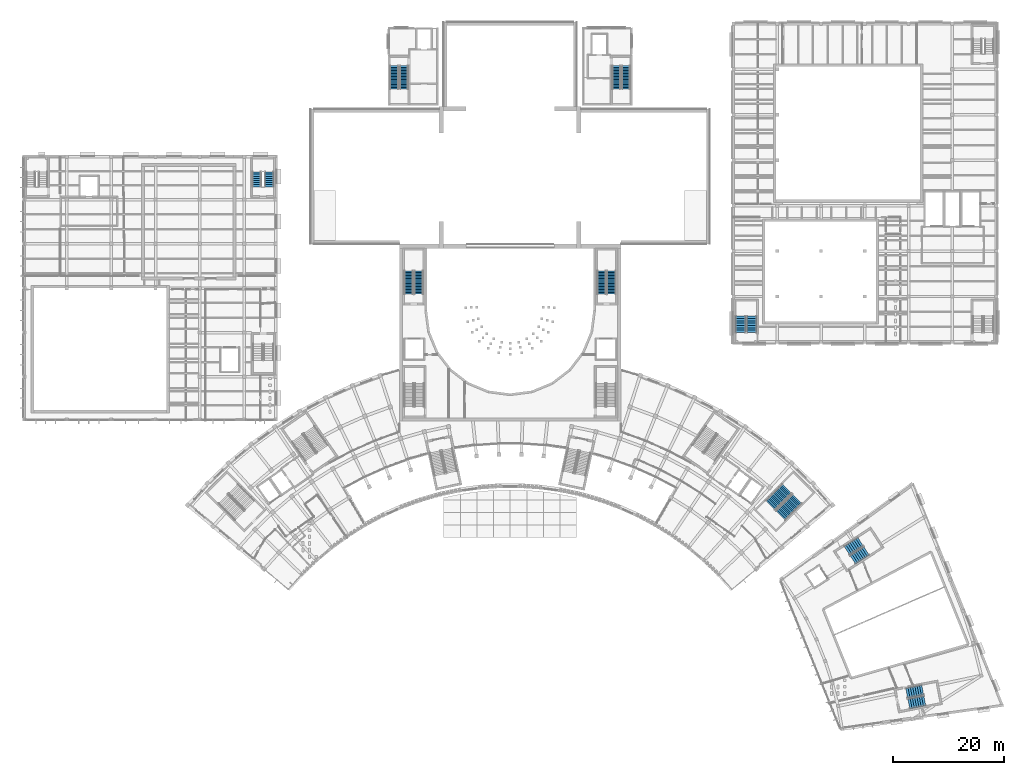
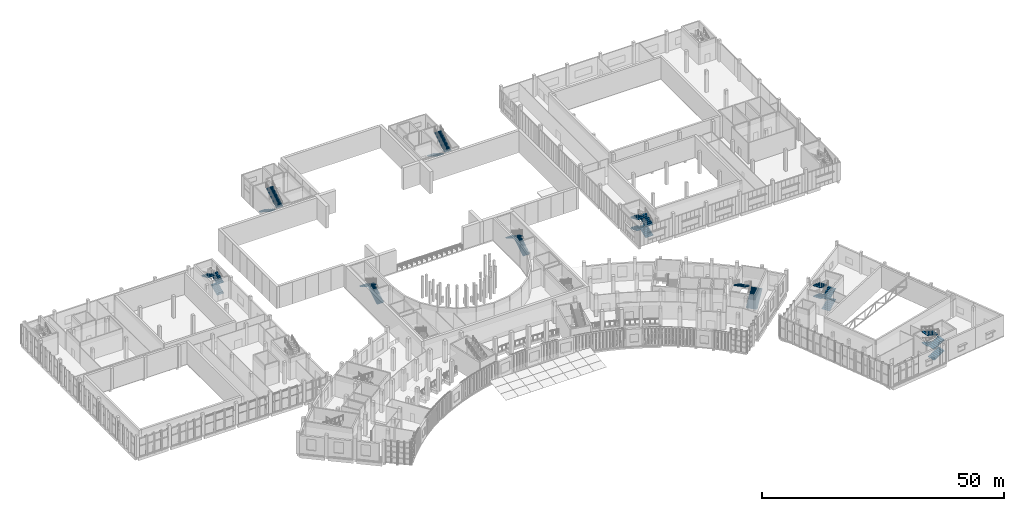
# One storey, part 67 of 112: 25 stair flights, 9 elements without a shape of their own.
"""IFC4 building model written with IfcOpenShell, lengths in metres."""

from ifc_helpers import new_model, si_unit, direction, frame, origin, place, context, subcontext, project, spatial, polyline, outline, extrude, material, type_object, element, aggregate, save


model = new_model("IFC4")

# Units and contexts
model_context = context("Model", 3, precision=1e-05, world=origin(), true_north=direction((0.0, 1.0)))
body_context = subcontext(model_context, "Body", "Model", "MODEL_VIEW")
ifc_project = project(units=[si_unit("LENGTHUNIT", "METRE"), si_unit("AREAUNIT", "SQUARE_METRE"), si_unit("VOLUMEUNIT", "CUBIC_METRE"), si_unit("PLANEANGLEUNIT", "RADIAN"), si_unit("MASSUNIT", "GRAM", prefix="KILO")], contexts=[model_context])

# Site, building, storey
site_placement = place(None, origin())
site = spatial("IfcSite", under=ifc_project, at=site_placement, CompositionType="ELEMENT")
building_placement = place(site_placement, origin())
building = spatial("IfcBuilding", under=site, at=building_placement, Name="Lunette Opera House", CompositionType="ELEMENT")
storey_placement = place(building_placement, frame((0.0, 0.0, 6.0)))
storey = spatial("IfcBuildingStorey", under=building, at=storey_placement, Name="L01", CompositionType="ELEMENT", Elevation=6.0)

# Stair, stair flights
ifc_material_1 = material(Name="Concrete C35/45", Category="concrete")
stair_type_1 = type_object("IfcStairType", Name="DOGLEG STAIR 1550", PredefinedType="HALF_TURN_STAIR", material=ifc_material_1)
stair_1_placement = place(storey_placement, origin())
stair_1 = element("IfcStair", 1, at=stair_1_placement, inside=storey, type_object=stair_type_1, Name="L01 stair ST11", PredefinedType="HALF_TURN_STAIR")
ifc_material_2 = material(Name="Concrete C35/45", Category="concrete")
stair_flight_type_1 = type_object("IfcStairFlightType", Name="STRAIGHT STAIR FLIGHT 1550", PredefinedType="STRAIGHT", material=ifc_material_2)
stair_flight_1_placement = place(storey_placement, frame((75.074951171875, 128.14990234375, 0.0), z_axis=(0.0, 0.0, 1.0), x_axis=(0.0, -1.0, 0.0)))
stair_flight_1 = element("IfcStairFlight", 2, at=stair_flight_1_placement, type_object=stair_flight_type_1, Name="ST11 flight 1", NumberOfRisers=16, NumberOfTreads=15, PredefinedType="STRAIGHT", RiserHeight=0.171875, TreadLength=0.28, context=body_context, shape_type="SweptSolid", body=[
    extrude(outline(polyline([(0.0, 0.0), (0.0, 0.171875), (0.280029296875, 0.171875), (0.280029296875, 0.34375), (0.56005859375, 0.34375), (0.56005859375, 0.515625), (0.840087890625, 0.515625), (0.840087890625, 0.6875), (1.1201171875, 0.6875), (1.1201171875, 0.859375), (1.39990234375, 0.859375), (1.39990234375, 1.03125), (1.679931640625, 1.03125), (1.679931640625, 1.203125), (1.9599609375, 1.203125), (1.9599609375, 1.375), (2.239990234375, 1.375), (2.239990234375, 1.546875), (2.52001953125, 1.546875), (2.52001953125, 1.71875), (2.800048828125, 1.71875), (2.800048828125, 1.890625), (3.080078125, 1.890625), (3.080078125, 2.0625), (3.360107421875, 2.0625), (3.360107421875, 2.234375), (3.639892578125, 2.234375), (3.639892578125, 2.40625), (3.919921875, 2.40625), (3.919921875, 2.578125), (4.199951171875, 2.578125), (4.199951171875, 2.75), (4.199951171875, 2.40234375), (0.28662109375, 0.0), (0.0, 0.0)])), frame((0.0, 0.77490234375, 0.0), z_axis=(0.0, -1.0, 0.0), x_axis=(1.0, 0.0, 0.0)), (0.0, 0.0, 1.0), 1.550048828125),
])
stair_flight_2_placement = place(storey_placement, frame((76.824951171875, 123.949951171875, 2.75), z_axis=(0.0, 0.0, 1.0), x_axis=(0.0, 1.0, 0.0)))
stair_flight_2 = element("IfcStairFlight", 3, at=stair_flight_2_placement, type_object=stair_flight_type_1, Name="ST11 flight 2", NumberOfRisers=16, NumberOfTreads=15, PredefinedType="STRAIGHT", RiserHeight=0.171875, TreadLength=0.28, context=body_context, shape_type="SweptSolid", body=[
    extrude(outline(polyline([(0.0, 0.0), (0.0, 0.171875), (0.280029296875, 0.171875), (0.280029296875, 0.34375), (0.56005859375, 0.34375), (0.56005859375, 0.515625), (0.840087890625, 0.515625), (0.840087890625, 0.6875), (1.1201171875, 0.6875), (1.1201171875, 0.859375), (1.39990234375, 0.859375), (1.39990234375, 1.03125), (1.679931640625, 1.03125), (1.679931640625, 1.203125), (1.9599609375, 1.203125), (1.9599609375, 1.375), (2.239990234375, 1.375), (2.239990234375, 1.546875), (2.52001953125, 1.546875), (2.52001953125, 1.71875), (2.800048828125, 1.71875), (2.800048828125, 1.890625), (3.080078125, 1.890625), (3.080078125, 2.0625), (3.360107421875, 2.0625), (3.360107421875, 2.234375), (3.639892578125, 2.234375), (3.639892578125, 2.40625), (3.919921875, 2.40625), (3.919921875, 2.578125), (4.199951171875, 2.578125), (4.199951171875, 2.75), (4.199951171875, 2.40234375), (0.28662109375, 0.0), (0.0, 0.0)])), frame((0.0, 0.77490234375, 0.0), z_axis=(0.0, -1.0, 0.0), x_axis=(1.0, 0.0, 0.0)), (0.0, 0.0, 1.0), 1.550048828125),
])
aggregate(stair_1, [stair_flight_1, stair_flight_2])

stair_2_placement = place(storey_placement, origin())
stair_2 = element("IfcStair", 4, at=stair_2_placement, inside=storey, type_object=stair_type_1, Name="L01 stair ST12", PredefinedType="HALF_TURN_STAIR")
stair_flight_3_placement = place(storey_placement, frame((115.175048828125, 128.14990234375, 0.0), z_axis=(0.0, 0.0, 1.0), x_axis=(0.0, -1.0, 0.0)))
stair_flight_3 = element("IfcStairFlight", 5, at=stair_flight_3_placement, type_object=stair_flight_type_1, Name="ST12 flight 1", NumberOfRisers=16, NumberOfTreads=15, PredefinedType="STRAIGHT", RiserHeight=0.171875, TreadLength=0.28, context=body_context, shape_type="SweptSolid", body=[
    extrude(outline(polyline([(0.0, 0.0), (0.0, 0.171875), (0.280029296875, 0.171875), (0.280029296875, 0.34375), (0.56005859375, 0.34375), (0.56005859375, 0.515625), (0.840087890625, 0.515625), (0.840087890625, 0.6875), (1.1201171875, 0.6875), (1.1201171875, 0.859375), (1.39990234375, 0.859375), (1.39990234375, 1.03125), (1.679931640625, 1.03125), (1.679931640625, 1.203125), (1.9599609375, 1.203125), (1.9599609375, 1.375), (2.239990234375, 1.375), (2.239990234375, 1.546875), (2.52001953125, 1.546875), (2.52001953125, 1.71875), (2.800048828125, 1.71875), (2.800048828125, 1.890625), (3.080078125, 1.890625), (3.080078125, 2.0625), (3.360107421875, 2.0625), (3.360107421875, 2.234375), (3.639892578125, 2.234375), (3.639892578125, 2.40625), (3.919921875, 2.40625), (3.919921875, 2.578125), (4.199951171875, 2.578125), (4.199951171875, 2.75), (4.199951171875, 2.40234375), (0.28662109375, 0.0), (0.0, 0.0)])), frame((0.0, 0.77490234375, 0.0), z_axis=(0.0, -1.0, 0.0), x_axis=(1.0, 0.0, 0.0)), (0.0, 0.0, 1.0), 1.550048828125),
])
stair_flight_4_placement = place(storey_placement, frame((116.925048828125, 123.949951171875, 2.75), z_axis=(0.0, 0.0, 1.0), x_axis=(0.0, 1.0, 0.0)))
stair_flight_4 = element("IfcStairFlight", 6, at=stair_flight_4_placement, type_object=stair_flight_type_1, Name="ST12 flight 2", NumberOfRisers=16, NumberOfTreads=15, PredefinedType="STRAIGHT", RiserHeight=0.171875, TreadLength=0.28, context=body_context, shape_type="SweptSolid", body=[
    extrude(outline(polyline([(0.0, 0.0), (0.0, 0.171875), (0.280029296875, 0.171875), (0.280029296875, 0.34375), (0.56005859375, 0.34375), (0.56005859375, 0.515625), (0.840087890625, 0.515625), (0.840087890625, 0.6875), (1.1201171875, 0.6875), (1.1201171875, 0.859375), (1.39990234375, 0.859375), (1.39990234375, 1.03125), (1.679931640625, 1.03125), (1.679931640625, 1.203125), (1.9599609375, 1.203125), (1.9599609375, 1.375), (2.239990234375, 1.375), (2.239990234375, 1.546875), (2.52001953125, 1.546875), (2.52001953125, 1.71875), (2.800048828125, 1.71875), (2.800048828125, 1.890625), (3.080078125, 1.890625), (3.080078125, 2.0625), (3.360107421875, 2.0625), (3.360107421875, 2.234375), (3.639892578125, 2.234375), (3.639892578125, 2.40625), (3.919921875, 2.40625), (3.919921875, 2.578125), (4.199951171875, 2.578125), (4.199951171875, 2.75), (4.199951171875, 2.40234375), (0.28662109375, 0.0), (0.0, 0.0)])), frame((0.0, 0.77490234375, 0.0), z_axis=(0.0, -1.0, 0.0), x_axis=(1.0, 0.0, 0.0)), (0.0, 0.0, 1.0), 1.550048828125),
])
aggregate(stair_2, [stair_flight_3, stair_flight_4])

ifc_material_3 = material(Name="Concrete C35/45", Category="concrete")
stair_type_2 = type_object("IfcStairType", Name="DOGLEG STAIR 1600", PredefinedType="HALF_TURN_STAIR", material=ifc_material_3)
stair_3_placement = place(storey_placement, origin())
stair_3 = element("IfcStair", 7, at=stair_3_placement, inside=storey, type_object=stair_type_2, Name="L01 stair ST17", PredefinedType="HALF_TURN_STAIR")
ifc_material_4 = material(Name="Concrete C35/45", Category="concrete")
stair_flight_type_2 = type_object("IfcStairFlightType", Name="STRAIGHT STAIR FLIGHT 1600", PredefinedType="STRAIGHT", material=ifc_material_4)
stair_flight_5_placement = place(storey_placement, frame((52.534912109375, 106.300048828125, 0.0), z_axis=(0.0, 0.0, 1.0), x_axis=(0.0, 1.0, 0.0)))
stair_flight_5 = element("IfcStairFlight", 8, at=stair_flight_5_placement, type_object=stair_flight_type_2, Name="ST17 flight 1", NumberOfRisers=8, NumberOfTreads=7, PredefinedType="STRAIGHT", RiserHeight=0.171875, TreadLength=0.38, context=body_context, shape_type="SweptSolid", body=[
    extrude(outline(polyline([(0.0, 0.0), (0.0, 0.171875), (0.3798828125, 0.171875), (0.3798828125, 0.34375), (0.760009765625, 0.34375), (0.760009765625, 0.515625), (1.139892578125, 0.515625), (1.139892578125, 0.6875), (1.52001953125, 0.6875), (1.52001953125, 0.859375), (1.89990234375, 0.859375), (1.89990234375, 1.03125), (2.280029296875, 1.03125), (2.280029296875, 1.203125), (2.659912109375, 1.203125), (2.659912109375, 1.375), (2.659912109375, 1.03857421875), (0.36376953125, 0.0), (0.0, 0.0)])), frame((0.0, 0.800048828125, 0.0), z_axis=(0.0, -1.0, 0.0), x_axis=(1.0, 0.0, 0.0)), (0.0, 0.0, 1.0), 1.60009765625),
])
stair_flight_6_placement = place(storey_placement, frame((52.534912109375, 106.300048828125, 2.75), z_axis=(0.0, 0.0, 1.0), x_axis=(0.0, 1.0, 0.0)))
stair_flight_6 = element("IfcStairFlight", 9, at=stair_flight_6_placement, type_object=stair_flight_type_2, Name="ST17 flight 3", NumberOfRisers=8, NumberOfTreads=7, PredefinedType="STRAIGHT", RiserHeight=0.171875, TreadLength=0.38, context=body_context, shape_type="SweptSolid", body=[
    extrude(outline(polyline([(0.0, 0.0), (0.0, 0.171875), (0.3798828125, 0.171875), (0.3798828125, 0.34375), (0.760009765625, 0.34375), (0.760009765625, 0.515625), (1.139892578125, 0.515625), (1.139892578125, 0.6875), (1.52001953125, 0.6875), (1.52001953125, 0.859375), (1.89990234375, 0.859375), (1.89990234375, 1.03125), (2.280029296875, 1.03125), (2.280029296875, 1.203125), (2.659912109375, 1.203125), (2.659912109375, 1.375), (2.659912109375, 1.03857421875), (0.36376953125, 0.0), (0.0, 0.0)])), frame((0.0, 0.800048828125, 0.0), z_axis=(0.0, -1.0, 0.0), x_axis=(1.0, 0.0, 0.0)), (0.0, 0.0, 1.0), 1.60009765625),
])
stair_flight_7_placement = place(storey_placement, frame((50.300048828125, 108.9599609375, 4.125), z_axis=(0.0, 0.0, 1.0), x_axis=(0.0, -1.0, 0.0)))
stair_flight_7 = element("IfcStairFlight", 10, at=stair_flight_7_placement, type_object=stair_flight_type_2, Name="ST17 flight 4", NumberOfRisers=8, NumberOfTreads=7, PredefinedType="STRAIGHT", RiserHeight=0.171875, TreadLength=0.38, context=body_context, shape_type="SweptSolid", body=[
    extrude(outline(polyline([(0.0, 0.0), (0.0, 0.171875), (0.3798828125, 0.171875), (0.3798828125, 0.34375), (0.760009765625, 0.34375), (0.760009765625, 0.515625), (1.139892578125, 0.515625), (1.139892578125, 0.6875), (1.52001953125, 0.6875), (1.52001953125, 0.859375), (1.89990234375, 0.859375), (1.89990234375, 1.03125), (2.280029296875, 1.03125), (2.280029296875, 1.203125), (2.659912109375, 1.203125), (2.659912109375, 1.375), (2.659912109375, 1.03857421875), (0.36376953125, 0.0), (0.0, 0.0)])), frame((0.0, 0.800048828125, 0.0), z_axis=(0.0, -1.0, 0.0), x_axis=(1.0, 0.0, 0.0)), (0.0, 0.0, 1.0), 1.60009765625),
])
aggregate(stair_3, [stair_flight_5, stair_flight_6, stair_flight_7])

ifc_material_5 = material(Name="Concrete C35/45", Category="concrete")
stair_type_3 = type_object("IfcStairType", Name="DOGLEG STAIR 1620", PredefinedType="HALF_TURN_STAIR", material=ifc_material_5)
stair_4_placement = place(storey_placement, origin())
stair_4 = element("IfcStair", 11, at=stair_4_placement, inside=storey, type_object=stair_type_3, Name="L01 stair ST10", PredefinedType="HALF_TURN_STAIR")
ifc_material_6 = material(Name="Concrete C35/45", Category="concrete")
stair_flight_type_3 = type_object("IfcStairFlightType", Name="STRAIGHT STAIR FLIGHT 1620", PredefinedType="STRAIGHT", material=ifc_material_6)
stair_flight_8_placement = place(storey_placement, frame((79.489990234375, 86.919921875, 0.0), z_axis=(0.0, 0.0, 1.0), x_axis=(0.0, 1.0, 0.0)))
stair_flight_8 = element("IfcStairFlight", 12, at=stair_flight_8_placement, type_object=stair_flight_type_3, Name="ST10 flight 1", NumberOfRisers=16, NumberOfTreads=15, PredefinedType="STRAIGHT", RiserHeight=0.171875, TreadLength=0.28, context=body_context, shape_type="SweptSolid", body=[
    extrude(outline(polyline([(0.0, 0.0), (0.0, 0.171875), (0.280029296875, 0.171875), (0.280029296875, 0.34375), (0.56005859375, 0.34375), (0.56005859375, 0.515625), (0.840087890625, 0.515625), (0.840087890625, 0.6875), (1.1201171875, 0.6875), (1.1201171875, 0.859375), (1.39990234375, 0.859375), (1.39990234375, 1.03125), (1.679931640625, 1.03125), (1.679931640625, 1.203125), (1.9599609375, 1.203125), (1.9599609375, 1.375), (2.239990234375, 1.375), (2.239990234375, 1.546875), (2.52001953125, 1.546875), (2.52001953125, 1.71875), (2.800048828125, 1.71875), (2.800048828125, 1.890625), (3.080078125, 1.890625), (3.080078125, 2.0625), (3.360107421875, 2.0625), (3.360107421875, 2.234375), (3.639892578125, 2.234375), (3.639892578125, 2.40625), (3.919921875, 2.40625), (3.919921875, 2.578125), (4.199951171875, 2.578125), (4.199951171875, 2.75), (4.199951171875, 2.40234375), (0.28662109375, 0.0), (0.0, 0.0)])), frame((0.0, 0.81005859375, 0.0), z_axis=(0.0, -1.0, 0.0), x_axis=(1.0, 0.0, 0.0)), (0.0, 0.0, 1.0), 1.6201171875),
])
stair_flight_9_placement = place(storey_placement, frame((77.7099609375, 91.1201171875, 2.75), z_axis=(0.0, 0.0, 1.0), x_axis=(0.0, -1.0, 0.0)))
stair_flight_9 = element("IfcStairFlight", 13, at=stair_flight_9_placement, type_object=stair_flight_type_3, Name="ST10 flight 2", NumberOfRisers=16, NumberOfTreads=15, PredefinedType="STRAIGHT", RiserHeight=0.171875, TreadLength=0.28, context=body_context, shape_type="SweptSolid", body=[
    extrude(outline(polyline([(0.0, 0.0), (0.0, 0.171875), (0.280029296875, 0.171875), (0.280029296875, 0.34375), (0.56005859375, 0.34375), (0.56005859375, 0.515625), (0.840087890625, 0.515625), (0.840087890625, 0.6875), (1.1201171875, 0.6875), (1.1201171875, 0.859375), (1.39990234375, 0.859375), (1.39990234375, 1.03125), (1.679931640625, 1.03125), (1.679931640625, 1.203125), (1.9599609375, 1.203125), (1.9599609375, 1.375), (2.239990234375, 1.375), (2.239990234375, 1.546875), (2.52001953125, 1.546875), (2.52001953125, 1.71875), (2.800048828125, 1.71875), (2.800048828125, 1.890625), (3.080078125, 1.890625), (3.080078125, 2.0625), (3.360107421875, 2.0625), (3.360107421875, 2.234375), (3.639892578125, 2.234375), (3.639892578125, 2.40625), (3.919921875, 2.40625), (3.919921875, 2.578125), (4.199951171875, 2.578125), (4.199951171875, 2.75), (4.199951171875, 2.40234375), (0.28662109375, 0.0), (0.0, 0.0)])), frame((0.0, 0.81005859375, 0.0), z_axis=(0.0, -1.0, 0.0), x_axis=(1.0, 0.0, 0.0)), (0.0, 0.0, 1.0), 1.6201171875),
])
aggregate(stair_4, [stair_flight_8, stair_flight_9])

stair_5_placement = place(storey_placement, origin())
stair_5 = element("IfcStair", 14, at=stair_5_placement, inside=storey, type_object=stair_type_3, Name="L01 stair ST9", PredefinedType="HALF_TURN_STAIR")
stair_flight_10_placement = place(storey_placement, frame((114.2900390625, 86.919921875, 0.0), z_axis=(0.0, 0.0, 1.0), x_axis=(0.0, 1.0, 0.0)))
stair_flight_10 = element("IfcStairFlight", 15, at=stair_flight_10_placement, type_object=stair_flight_type_3, Name="ST9 flight 1", NumberOfRisers=16, NumberOfTreads=15, PredefinedType="STRAIGHT", RiserHeight=0.171875, TreadLength=0.28, context=body_context, shape_type="SweptSolid", body=[
    extrude(outline(polyline([(0.0, 0.0), (0.0, 0.171875), (0.280029296875, 0.171875), (0.280029296875, 0.34375), (0.56005859375, 0.34375), (0.56005859375, 0.515625), (0.840087890625, 0.515625), (0.840087890625, 0.6875), (1.1201171875, 0.6875), (1.1201171875, 0.859375), (1.39990234375, 0.859375), (1.39990234375, 1.03125), (1.679931640625, 1.03125), (1.679931640625, 1.203125), (1.9599609375, 1.203125), (1.9599609375, 1.375), (2.239990234375, 1.375), (2.239990234375, 1.546875), (2.52001953125, 1.546875), (2.52001953125, 1.71875), (2.800048828125, 1.71875), (2.800048828125, 1.890625), (3.080078125, 1.890625), (3.080078125, 2.0625), (3.360107421875, 2.0625), (3.360107421875, 2.234375), (3.639892578125, 2.234375), (3.639892578125, 2.40625), (3.919921875, 2.40625), (3.919921875, 2.578125), (4.199951171875, 2.578125), (4.199951171875, 2.75), (4.199951171875, 2.40234375), (0.28662109375, 0.0), (0.0, 0.0)])), frame((0.0, 0.81005859375, 0.0), z_axis=(0.0, -1.0, 0.0), x_axis=(1.0, 0.0, 0.0)), (0.0, 0.0, 1.0), 1.6201171875),
])
stair_flight_11_placement = place(storey_placement, frame((112.510009765625, 91.1201171875, 2.75), z_axis=(0.0, 0.0, 1.0), x_axis=(0.0, -1.0, 0.0)))
stair_flight_11 = element("IfcStairFlight", 16, at=stair_flight_11_placement, type_object=stair_flight_type_3, Name="ST9 flight 2", NumberOfRisers=16, NumberOfTreads=15, PredefinedType="STRAIGHT", RiserHeight=0.171875, TreadLength=0.28, context=body_context, shape_type="SweptSolid", body=[
    extrude(outline(polyline([(0.0, 0.0), (0.0, 0.171875), (0.280029296875, 0.171875), (0.280029296875, 0.34375), (0.56005859375, 0.34375), (0.56005859375, 0.515625), (0.840087890625, 0.515625), (0.840087890625, 0.6875), (1.1201171875, 0.6875), (1.1201171875, 0.859375), (1.39990234375, 0.859375), (1.39990234375, 1.03125), (1.679931640625, 1.03125), (1.679931640625, 1.203125), (1.9599609375, 1.203125), (1.9599609375, 1.375), (2.239990234375, 1.375), (2.239990234375, 1.546875), (2.52001953125, 1.546875), (2.52001953125, 1.71875), (2.800048828125, 1.71875), (2.800048828125, 1.890625), (3.080078125, 1.890625), (3.080078125, 2.0625), (3.360107421875, 2.0625), (3.360107421875, 2.234375), (3.639892578125, 2.234375), (3.639892578125, 2.40625), (3.919921875, 2.40625), (3.919921875, 2.578125), (4.199951171875, 2.578125), (4.199951171875, 2.75), (4.199951171875, 2.40234375), (0.28662109375, 0.0), (0.0, 0.0)])), frame((0.0, 0.81005859375, 0.0), z_axis=(0.0, -1.0, 0.0), x_axis=(1.0, 0.0, 0.0)), (0.0, 0.0, 1.0), 1.6201171875),
])
aggregate(stair_5, [stair_flight_10, stair_flight_11])

ifc_material_7 = material(Name="Concrete C35/45", Category="concrete")
stair_type_4 = type_object("IfcStairType", Name="DOGLEG STAIR 1800", PredefinedType="HALF_TURN_STAIR", material=ifc_material_7)
stair_6_placement = place(storey_placement, origin())
stair_6 = element("IfcStair", 17, at=stair_6_placement, inside=storey, type_object=stair_type_4, Name="L01 stair ST18", PredefinedType="HALF_TURN_STAIR")
ifc_material_8 = material(Name="Concrete C35/45", Category="concrete")
stair_flight_type_4 = type_object("IfcStairFlightType", Name="STRAIGHT STAIR FLIGHT 1800", PredefinedType="STRAIGHT", material=ifc_material_8)
stair_flight_12_placement = place(storey_placement, frame((139.60009765625, 80.0, 0.0), z_axis=(0.0, 0.0, 1.0), x_axis=(0.0, 1.0, 0.0)))
stair_flight_12 = element("IfcStairFlight", 18, at=stair_flight_12_placement, type_object=stair_flight_type_4, Name="ST18 flight 1", NumberOfRisers=8, NumberOfTreads=7, PredefinedType="STRAIGHT", RiserHeight=0.171875, TreadLength=0.42, context=body_context, shape_type="SweptSolid", body=[
    extrude(outline(polyline([(0.0, 0.0), (0.0, 0.171875), (0.419921875, 0.171875), (0.419921875, 0.34375), (0.840087890625, 0.34375), (0.840087890625, 0.515625), (1.260009765625, 0.515625), (1.260009765625, 0.6875), (1.679931640625, 0.6875), (1.679931640625, 0.859375), (2.10009765625, 0.859375), (2.10009765625, 1.03125), (2.52001953125, 1.03125), (2.52001953125, 1.203125), (2.93994140625, 1.203125), (2.93994140625, 1.375), (2.93994140625, 1.041259765625), (0.395751953125, 0.0), (0.0, 0.0)])), frame((0.0, 0.89990234375, 0.0), z_axis=(0.0, -1.0, 0.0), x_axis=(1.0, 0.0, 0.0)), (0.0, 0.0, 1.0), 1.800048828125),
])
stair_flight_13_placement = place(storey_placement, frame((137.60009765625, 82.93994140625, 1.375), z_axis=(0.0, 0.0, 1.0), x_axis=(0.0, -1.0, 0.0)))
stair_flight_13 = element("IfcStairFlight", 19, at=stair_flight_13_placement, type_object=stair_flight_type_4, Name="ST18 flight 2", NumberOfRisers=8, NumberOfTreads=7, PredefinedType="STRAIGHT", RiserHeight=0.171875, TreadLength=0.42, context=body_context, shape_type="SweptSolid", body=[
    extrude(outline(polyline([(0.0, 0.0), (0.0, 0.171875), (0.419921875, 0.171875), (0.419921875, 0.34375), (0.840087890625, 0.34375), (0.840087890625, 0.515625), (1.260009765625, 0.515625), (1.260009765625, 0.6875), (1.679931640625, 0.6875), (1.679931640625, 0.859375), (2.10009765625, 0.859375), (2.10009765625, 1.03125), (2.52001953125, 1.03125), (2.52001953125, 1.203125), (2.93994140625, 1.203125), (2.93994140625, 1.375), (2.93994140625, 1.041259765625), (0.395751953125, 0.0), (0.0, 0.0)])), frame((0.0, 0.89990234375, 0.0), z_axis=(0.0, -1.0, 0.0), x_axis=(1.0, 0.0, 0.0)), (0.0, 0.0, 1.0), 1.800048828125),
])
stair_flight_14_placement = place(storey_placement, frame((139.60009765625, 80.0, 2.75), z_axis=(0.0, 0.0, 1.0), x_axis=(0.0, 1.0, 0.0)))
stair_flight_14 = element("IfcStairFlight", 20, at=stair_flight_14_placement, type_object=stair_flight_type_4, Name="ST18 flight 3", NumberOfRisers=8, NumberOfTreads=7, PredefinedType="STRAIGHT", RiserHeight=0.171875, TreadLength=0.42, context=body_context, shape_type="SweptSolid", body=[
    extrude(outline(polyline([(0.0, 0.0), (0.0, 0.171875), (0.419921875, 0.171875), (0.419921875, 0.34375), (0.840087890625, 0.34375), (0.840087890625, 0.515625), (1.260009765625, 0.515625), (1.260009765625, 0.6875), (1.679931640625, 0.6875), (1.679931640625, 0.859375), (2.10009765625, 0.859375), (2.10009765625, 1.03125), (2.52001953125, 1.03125), (2.52001953125, 1.203125), (2.93994140625, 1.203125), (2.93994140625, 1.375), (2.93994140625, 1.041259765625), (0.395751953125, 0.0), (0.0, 0.0)])), frame((0.0, 0.89990234375, 0.0), z_axis=(0.0, -1.0, 0.0), x_axis=(1.0, 0.0, 0.0)), (0.0, 0.0, 1.0), 1.800048828125),
])
stair_flight_15_placement = place(storey_placement, frame((137.60009765625, 82.93994140625, 4.125), z_axis=(0.0, 0.0, 1.0), x_axis=(0.0, -1.0, 0.0)))
stair_flight_15 = element("IfcStairFlight", 21, at=stair_flight_15_placement, type_object=stair_flight_type_4, Name="ST18 flight 4", NumberOfRisers=8, NumberOfTreads=7, PredefinedType="STRAIGHT", RiserHeight=0.171875, TreadLength=0.42, context=body_context, shape_type="SweptSolid", body=[
    extrude(outline(polyline([(0.0, 0.0), (0.0, 0.171875), (0.419921875, 0.171875), (0.419921875, 0.34375), (0.840087890625, 0.34375), (0.840087890625, 0.515625), (1.260009765625, 0.515625), (1.260009765625, 0.6875), (1.679931640625, 0.6875), (1.679931640625, 0.859375), (2.10009765625, 0.859375), (2.10009765625, 1.03125), (2.52001953125, 1.03125), (2.52001953125, 1.203125), (2.93994140625, 1.203125), (2.93994140625, 1.375), (2.93994140625, 1.041259765625), (0.395751953125, 0.0), (0.0, 0.0)])), frame((0.0, 0.89990234375, 0.0), z_axis=(0.0, -1.0, 0.0), x_axis=(1.0, 0.0, 0.0)), (0.0, 0.0, 1.0), 1.800048828125),
])
aggregate(stair_6, [stair_flight_12, stair_flight_13, stair_flight_14, stair_flight_15])

stair_7_placement = place(storey_placement, origin())
stair_7 = element("IfcStair", 22, at=stair_7_placement, inside=storey, type_object=stair_type_4, Name="L01 stair ST21", PredefinedType="HALF_TURN_STAIR")
stair_flight_16_placement = place(storey_placement, frame((157.851318359375, 38.973876953125, 0.0), z_axis=(0.0, 0.0, 1.0), x_axis=(0.838643447017, 0.544680795306, 0.0)))
stair_flight_16 = element("IfcStairFlight", 23, at=stair_flight_16_placement, type_object=stair_flight_type_4, Name="ST21 flight 1", NumberOfRisers=8, NumberOfTreads=7, PredefinedType="STRAIGHT", RiserHeight=0.171875, TreadLength=0.42, context=body_context, shape_type="SweptSolid", body=[
    extrude(outline(polyline([(0.0, 0.0), (0.0, 0.171875), (0.419921875, 0.171875), (0.419921875, 0.34375), (0.840087890625, 0.34375), (0.840087890625, 0.515625), (1.260009765625, 0.515625), (1.260009765625, 0.6875), (1.679931640625, 0.6875), (1.679931640625, 0.859375), (2.10009765625, 0.859375), (2.10009765625, 1.03125), (2.52001953125, 1.03125), (2.52001953125, 1.203125), (2.93994140625, 1.203125), (2.93994140625, 1.375), (2.93994140625, 1.041259765625), (0.395751953125, 0.0), (0.0, 0.0)])), frame((0.0, 0.89990234375, 0.0), z_axis=(0.0, -1.0, 0.0), x_axis=(1.0, 0.0, 0.0)), (0.0, 0.0, 1.0), 1.800048828125),
])
stair_flight_17_placement = place(storey_placement, frame((159.227294921875, 42.2529296875, 1.375), z_axis=(0.0, 0.0, 1.0), x_axis=(-0.838643447017, -0.544680795306, 0.0)))
stair_flight_17 = element("IfcStairFlight", 24, at=stair_flight_17_placement, type_object=stair_flight_type_4, Name="ST21 flight 2", NumberOfRisers=8, NumberOfTreads=7, PredefinedType="STRAIGHT", RiserHeight=0.171875, TreadLength=0.42, context=body_context, shape_type="SweptSolid", body=[
    extrude(outline(polyline([(0.0, 0.0), (0.0, 0.171875), (0.419921875, 0.171875), (0.419921875, 0.34375), (0.840087890625, 0.34375), (0.840087890625, 0.515625), (1.260009765625, 0.515625), (1.260009765625, 0.6875), (1.679931640625, 0.6875), (1.679931640625, 0.859375), (2.10009765625, 0.859375), (2.10009765625, 1.03125), (2.52001953125, 1.03125), (2.52001953125, 1.203125), (2.93994140625, 1.203125), (2.93994140625, 1.375), (2.93994140625, 1.041259765625), (0.395751953125, 0.0), (0.0, 0.0)])), frame((0.0, 0.89990234375, 0.0), z_axis=(0.0, -1.0, 0.0), x_axis=(1.0, 0.0, 0.0)), (0.0, 0.0, 1.0), 1.800048828125),
])
stair_flight_18_placement = place(storey_placement, frame((157.851318359375, 38.973876953125, 2.75), z_axis=(0.0, 0.0, 1.0), x_axis=(0.838643447017, 0.544680795306, 0.0)))
stair_flight_18 = element("IfcStairFlight", 25, at=stair_flight_18_placement, type_object=stair_flight_type_4, Name="ST21 flight 3", NumberOfRisers=8, NumberOfTreads=7, PredefinedType="STRAIGHT", RiserHeight=0.171875, TreadLength=0.42, context=body_context, shape_type="SweptSolid", body=[
    extrude(outline(polyline([(0.0, 0.0), (0.0, 0.171875), (0.419921875, 0.171875), (0.419921875, 0.34375), (0.840087890625, 0.34375), (0.840087890625, 0.515625), (1.260009765625, 0.515625), (1.260009765625, 0.6875), (1.679931640625, 0.6875), (1.679931640625, 0.859375), (2.10009765625, 0.859375), (2.10009765625, 1.03125), (2.52001953125, 1.03125), (2.52001953125, 1.203125), (2.93994140625, 1.203125), (2.93994140625, 1.375), (2.93994140625, 1.041259765625), (0.395751953125, 0.0), (0.0, 0.0)])), frame((0.0, 0.89990234375, 0.0), z_axis=(0.0, -1.0, 0.0), x_axis=(1.0, 0.0, 0.0)), (0.0, 0.0, 1.0), 1.800048828125),
])
stair_flight_19_placement = place(storey_placement, frame((159.227294921875, 42.2529296875, 4.125), z_axis=(0.0, 0.0, 1.0), x_axis=(-0.838643447017, -0.544680795306, 0.0)))
stair_flight_19 = element("IfcStairFlight", 26, at=stair_flight_19_placement, type_object=stair_flight_type_4, Name="ST21 flight 4", NumberOfRisers=8, NumberOfTreads=7, PredefinedType="STRAIGHT", RiserHeight=0.171875, TreadLength=0.42, context=body_context, shape_type="SweptSolid", body=[
    extrude(outline(polyline([(0.0, 0.0), (0.0, 0.171875), (0.419921875, 0.171875), (0.419921875, 0.34375), (0.840087890625, 0.34375), (0.840087890625, 0.515625), (1.260009765625, 0.515625), (1.260009765625, 0.6875), (1.679931640625, 0.6875), (1.679931640625, 0.859375), (2.10009765625, 0.859375), (2.10009765625, 1.03125), (2.52001953125, 1.03125), (2.52001953125, 1.203125), (2.93994140625, 1.203125), (2.93994140625, 1.375), (2.93994140625, 1.041259765625), (0.395751953125, 0.0), (0.0, 0.0)])), frame((0.0, 0.89990234375, 0.0), z_axis=(0.0, -1.0, 0.0), x_axis=(1.0, 0.0, 0.0)), (0.0, 0.0, 1.0), 1.800048828125),
])
aggregate(stair_7, [stair_flight_16, stair_flight_17, stair_flight_18, stair_flight_19])

stair_8_placement = place(storey_placement, origin())
stair_8 = element("IfcStair", 27, at=stair_8_placement, inside=storey, type_object=stair_type_4, Name="L01 stair ST22", PredefinedType="HALF_TURN_STAIR")
stair_flight_20_placement = place(storey_placement, frame((167.947509765625, 12.966552734375, 0.0), z_axis=(0.0, 0.0, 1.0), x_axis=(0.981638151653, 0.19075256019, 0.0)))
stair_flight_20 = element("IfcStairFlight", 28, at=stair_flight_20_placement, type_object=stair_flight_type_4, Name="ST22 flight 1", NumberOfRisers=8, NumberOfTreads=7, PredefinedType="STRAIGHT", RiserHeight=0.171875, TreadLength=0.42, context=body_context, shape_type="SweptSolid", body=[
    extrude(outline(polyline([(0.0, 0.0), (0.0, 0.171875), (0.419921875, 0.171875), (0.419921875, 0.34375), (0.840087890625, 0.34375), (0.840087890625, 0.515625), (1.260009765625, 0.515625), (1.260009765625, 0.6875), (1.679931640625, 0.6875), (1.679931640625, 0.859375), (2.10009765625, 0.859375), (2.10009765625, 1.03125), (2.52001953125, 1.03125), (2.52001953125, 1.203125), (2.93994140625, 1.203125), (2.93994140625, 1.375), (2.93994140625, 1.041259765625), (0.395751953125, 0.0), (0.0, 0.0)])), frame((0.0, 0.89990234375, 0.0), z_axis=(0.0, -1.0, 0.0), x_axis=(1.0, 0.0, 0.0)), (0.0, 0.0, 1.0), 1.800048828125),
])
stair_flight_21_placement = place(storey_placement, frame((170.4521484375, 15.490478515625, 1.375), z_axis=(0.0, 0.0, 1.0), x_axis=(-0.981638151653, -0.19075256019, 0.0)))
stair_flight_21 = element("IfcStairFlight", 29, at=stair_flight_21_placement, type_object=stair_flight_type_4, Name="ST22 flight 2", NumberOfRisers=8, NumberOfTreads=7, PredefinedType="STRAIGHT", RiserHeight=0.171875, TreadLength=0.42, context=body_context, shape_type="SweptSolid", body=[
    extrude(outline(polyline([(0.0, 0.0), (0.0, 0.171875), (0.419921875, 0.171875), (0.419921875, 0.34375), (0.840087890625, 0.34375), (0.840087890625, 0.515625), (1.260009765625, 0.515625), (1.260009765625, 0.6875), (1.679931640625, 0.6875), (1.679931640625, 0.859375), (2.10009765625, 0.859375), (2.10009765625, 1.03125), (2.52001953125, 1.03125), (2.52001953125, 1.203125), (2.93994140625, 1.203125), (2.93994140625, 1.375), (2.93994140625, 1.041259765625), (0.395751953125, 0.0), (0.0, 0.0)])), frame((0.0, 0.89990234375, 0.0), z_axis=(0.0, -1.0, 0.0), x_axis=(1.0, 0.0, 0.0)), (0.0, 0.0, 1.0), 1.800048828125),
])
stair_flight_22_placement = place(storey_placement, frame((167.947509765625, 12.966552734375, 2.75), z_axis=(0.0, 0.0, 1.0), x_axis=(0.981638151653, 0.19075256019, 0.0)))
stair_flight_22 = element("IfcStairFlight", 30, at=stair_flight_22_placement, type_object=stair_flight_type_4, Name="ST22 flight 3", NumberOfRisers=8, NumberOfTreads=7, PredefinedType="STRAIGHT", RiserHeight=0.171875, TreadLength=0.42, context=body_context, shape_type="SweptSolid", body=[
    extrude(outline(polyline([(0.0, 0.0), (0.0, 0.171875), (0.419921875, 0.171875), (0.419921875, 0.34375), (0.840087890625, 0.34375), (0.840087890625, 0.515625), (1.260009765625, 0.515625), (1.260009765625, 0.6875), (1.679931640625, 0.6875), (1.679931640625, 0.859375), (2.10009765625, 0.859375), (2.10009765625, 1.03125), (2.52001953125, 1.03125), (2.52001953125, 1.203125), (2.93994140625, 1.203125), (2.93994140625, 1.375), (2.93994140625, 1.041259765625), (0.395751953125, 0.0), (0.0, 0.0)])), frame((0.0, 0.89990234375, 0.0), z_axis=(0.0, -1.0, 0.0), x_axis=(1.0, 0.0, 0.0)), (0.0, 0.0, 1.0), 1.800048828125),
])
stair_flight_23_placement = place(storey_placement, frame((170.4521484375, 15.490478515625, 4.125), z_axis=(0.0, 0.0, 1.0), x_axis=(-0.981638151653, -0.19075256019, 0.0)))
stair_flight_23 = element("IfcStairFlight", 31, at=stair_flight_23_placement, type_object=stair_flight_type_4, Name="ST22 flight 4", NumberOfRisers=8, NumberOfTreads=7, PredefinedType="STRAIGHT", RiserHeight=0.171875, TreadLength=0.42, context=body_context, shape_type="SweptSolid", body=[
    extrude(outline(polyline([(0.0, 0.0), (0.0, 0.171875), (0.419921875, 0.171875), (0.419921875, 0.34375), (0.840087890625, 0.34375), (0.840087890625, 0.515625), (1.260009765625, 0.515625), (1.260009765625, 0.6875), (1.679931640625, 0.6875), (1.679931640625, 0.859375), (2.10009765625, 0.859375), (2.10009765625, 1.03125), (2.52001953125, 1.03125), (2.52001953125, 1.203125), (2.93994140625, 1.203125), (2.93994140625, 1.375), (2.93994140625, 1.041259765625), (0.395751953125, 0.0), (0.0, 0.0)])), frame((0.0, 0.89990234375, 0.0), z_axis=(0.0, -1.0, 0.0), x_axis=(1.0, 0.0, 0.0)), (0.0, 0.0, 1.0), 1.800048828125),
])
aggregate(stair_8, [stair_flight_20, stair_flight_21, stair_flight_22, stair_flight_23])

ifc_material_9 = material(Name="Concrete C35/45", Category="concrete")
stair_type_5 = type_object("IfcStairType", Name="DOGLEG STAIR 2400", PredefinedType="HALF_TURN_STAIR", material=ifc_material_9)
stair_9_placement = place(storey_placement, origin())
stair_9 = element("IfcStair", 32, at=stair_9_placement, inside=storey, type_object=stair_type_5, Name="L01 stair ST4", PredefinedType="HALF_TURN_STAIR")
ifc_material_10 = material(Name="Concrete C35/45", Category="concrete")
stair_flight_type_5 = type_object("IfcStairFlightType", Name="STRAIGHT STAIR FLIGHT 2400", PredefinedType="STRAIGHT", material=ifc_material_10)
stair_flight_24_placement = place(storey_placement, frame((144.825439453125, 46.98681640625, 0.0), z_axis=(0.0, 0.0, 1.0), x_axis=(0.707106781187, 0.707106781187, 0.0)))
stair_flight_24 = element("IfcStairFlight", 33, at=stair_flight_24_placement, type_object=stair_flight_type_5, Name="ST4 flight 1", NumberOfRisers=16, NumberOfTreads=15, PredefinedType="STRAIGHT", RiserHeight=0.171875, TreadLength=0.28, context=body_context, shape_type="SweptSolid", body=[
    extrude(outline(polyline([(0.0, 0.0), (0.0, 0.171875), (0.280029296875, 0.171875), (0.280029296875, 0.34375), (0.56005859375, 0.34375), (0.56005859375, 0.515625), (0.840087890625, 0.515625), (0.840087890625, 0.6875), (1.1201171875, 0.6875), (1.1201171875, 0.859375), (1.39990234375, 0.859375), (1.39990234375, 1.03125), (1.679931640625, 1.03125), (1.679931640625, 1.203125), (1.9599609375, 1.203125), (1.9599609375, 1.375), (2.239990234375, 1.375), (2.239990234375, 1.546875), (2.52001953125, 1.546875), (2.52001953125, 1.71875), (2.800048828125, 1.71875), (2.800048828125, 1.890625), (3.080078125, 1.890625), (3.080078125, 2.0625), (3.360107421875, 2.0625), (3.360107421875, 2.234375), (3.639892578125, 2.234375), (3.639892578125, 2.40625), (3.919921875, 2.40625), (3.919921875, 2.578125), (4.199951171875, 2.578125), (4.199951171875, 2.75), (4.199951171875, 2.40234375), (0.28662109375, 0.0), (0.0, 0.0)])), frame((0.0, 1.199951171875, 0.0), z_axis=(0.0, -1.0, 0.0), x_axis=(1.0, 0.0, 0.0)), (0.0, 0.0, 1.0), 2.39990234375),
])
stair_flight_25_placement = place(storey_placement, frame((145.956787109375, 51.79541015625, 2.75), z_axis=(0.0, 0.0, 1.0), x_axis=(-0.707106781187, -0.707106781187, 0.0)))
stair_flight_25 = element("IfcStairFlight", 34, at=stair_flight_25_placement, type_object=stair_flight_type_5, Name="ST4 flight 2", NumberOfRisers=16, NumberOfTreads=15, PredefinedType="STRAIGHT", RiserHeight=0.171875, TreadLength=0.28, context=body_context, shape_type="SweptSolid", body=[
    extrude(outline(polyline([(0.0, 0.0), (0.0, 0.171875), (0.280029296875, 0.171875), (0.280029296875, 0.34375), (0.56005859375, 0.34375), (0.56005859375, 0.515625), (0.840087890625, 0.515625), (0.840087890625, 0.6875), (1.1201171875, 0.6875), (1.1201171875, 0.859375), (1.39990234375, 0.859375), (1.39990234375, 1.03125), (1.679931640625, 1.03125), (1.679931640625, 1.203125), (1.9599609375, 1.203125), (1.9599609375, 1.375), (2.239990234375, 1.375), (2.239990234375, 1.546875), (2.52001953125, 1.546875), (2.52001953125, 1.71875), (2.800048828125, 1.71875), (2.800048828125, 1.890625), (3.080078125, 1.890625), (3.080078125, 2.0625), (3.360107421875, 2.0625), (3.360107421875, 2.234375), (3.639892578125, 2.234375), (3.639892578125, 2.40625), (3.919921875, 2.40625), (3.919921875, 2.578125), (4.199951171875, 2.578125), (4.199951171875, 2.75), (4.199951171875, 2.40234375), (0.28662109375, 0.0), (0.0, 0.0)])), frame((0.0, 1.199951171875, 0.0), z_axis=(0.0, -1.0, 0.0), x_axis=(1.0, 0.0, 0.0)), (0.0, 0.0, 1.0), 2.39990234375),
])
aggregate(stair_9, [stair_flight_24, stair_flight_25])

save(model, "model.ifc")
